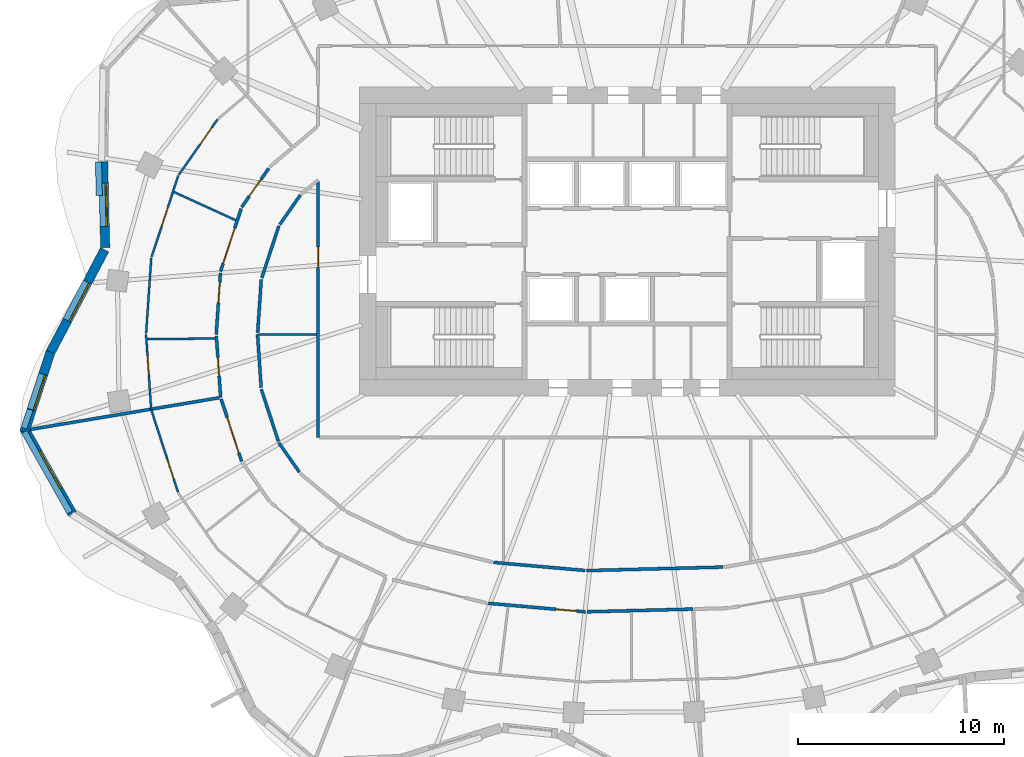
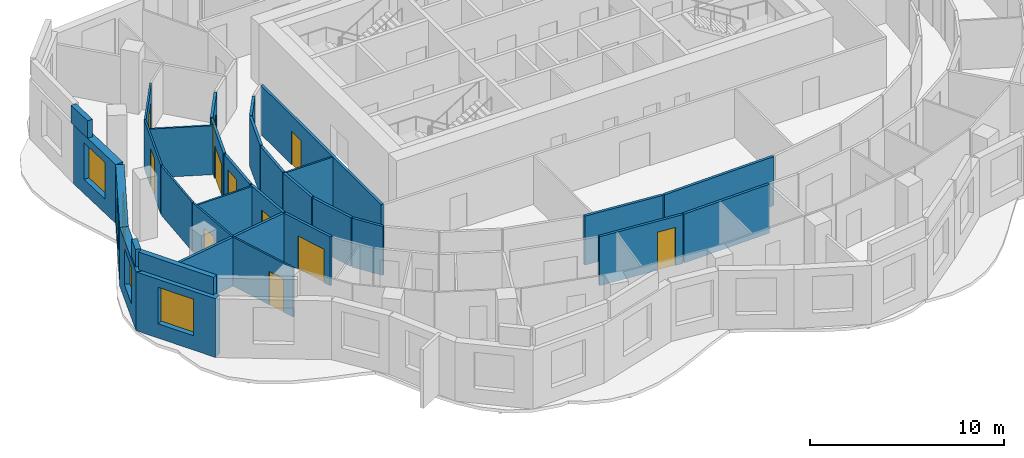
# One storey, part 4 of 12: 32 walls, 11 doors, 4 windows, 15 openings.
"""IFC4 building model written with IfcOpenShell, lengths in metres."""

from ifc_helpers import new_model, si_unit, direction, frame, frame_2d, origin, place, context, subcontext, project, spatial, rectangle, extrude, material, layer, layer_set, type_object, element, fill, save


model = new_model("IFC4")

# Units and contexts
model_context = context("Model", 3, precision=1e-05, world=origin(), true_north=direction((0.0, 1.0)))
body_context = subcontext(model_context, "Body", "Model", "MODEL_VIEW")
ifc_project = project(units=[si_unit("LENGTHUNIT", "METRE"), si_unit("AREAUNIT", "SQUARE_METRE"), si_unit("VOLUMEUNIT", "CUBIC_METRE"), si_unit("PLANEANGLEUNIT", "RADIAN"), si_unit("MASSUNIT", "GRAM", prefix="KILO")], contexts=[model_context])

# Site, building, storey
site_placement = place(None, origin())
site = spatial("IfcSite", under=ifc_project, at=site_placement, CompositionType="ELEMENT")
building_placement = place(site_placement, origin())
building = spatial("IfcBuilding", under=site, at=building_placement, Name="Rubra Terraces Tower", CompositionType="ELEMENT")
storey_placement = place(building_placement, frame((0.0, 0.0, 201.300048828125)))
storey = spatial("IfcBuildingStorey", under=building, at=storey_placement, Name="L49", CompositionType="ELEMENT", Elevation=201.300048828125)

# Wall, opening, window
ifc_material_1 = material(Name="Brick masonry red-brown", Category="masonry")
ifc_layer_1 = layer(ifc_material_1, 0.449951171875)
ifc_layer_set_1 = layer_set([ifc_layer_1], Name="Brick masonry red-brown")
wall_type_1 = type_object("IfcWallType", Name="Brick facade wall 450", PredefinedType="SOLIDWALL", material=ifc_layer_set_1)
wall_1_placement = place(storey_placement, frame((-25.44091796875, 8.375, 0.0), z_axis=(0.0, 0.0, 1.0), x_axis=(0.024385850259, -0.999702620936, 0.0)))
wall_1 = element("IfcWall", 1, at=wall_1_placement, inside=storey, type_object=wall_type_1, Name="Facade wall L49 bay 19", PredefinedType="SOLIDWALL", context=body_context, shape_type="SweptSolid", body=[
    extrude(rectangle(XDim=4.164794921875, YDim=0.449951171875, at=frame_2d((2.08251953125, 0.0))), origin(), (0.0, 0.0, 1.0), 3.699951171875),
])
opening_1_placement = place(wall_1_placement, frame((1.032470703125, 0.0, 0.89990234375)))
opening_1 = element("IfcOpeningElement", 2, at=opening_1_placement, cuts=wall_1, Name="Opening W1B", PredefinedType="OPENING", context=body_context, shape_type="SweptSolid", body=[
    extrude(rectangle(XDim=2.10009765625, YDim=2.300048828125, at=frame_2d((1.050048828125, 1.14990234375))), frame((0.0, 0.23486328125, 0.0), z_axis=(0.0, -1.0, 0.0), x_axis=(1.0, 0.0, 0.0)), (0.0, 0.0, 1.0), 0.469970703125),
])
ifc_material_2 = material(Name="Clear glass in aluminium frame", Category="aluminium")
window_type_1 = type_object("IfcWindowType", Name="Fixed deep-set window tall storey 2100 x 2300", PartitioningType="SINGLE_PANEL", PredefinedType="WINDOW", material=ifc_material_2)
window_1_placement = place(opening_1_placement, origin())
window_1 = element("IfcWindow", 3, at=window_1_placement, inside=storey, type_object=window_type_1, Name="Window L49 bay 19", OverallHeight=2.300048828125, OverallWidth=2.10009765625, PartitioningType="SINGLE_PANEL", PredefinedType="WINDOW", context=body_context, shape_type="SweptSolid", body=[
    extrude(rectangle(XDim=2.10009765625, YDim=2.300048828125, at=frame_2d((1.050048828125, 1.14990234375))), frame((0.0, 0.135009765625, 0.0), z_axis=(0.0, -1.0, 0.0), x_axis=(1.0, 0.0, 0.0)), (0.0, 0.0, 1.0), 0.06005859375),
])
fill(opening_1, window_1)

wall_2_placement = place(storey_placement, frame((-25.365478515625, 4.10693359375, 0.0), z_axis=(0.0, 0.0, 1.0), x_axis=(-0.467239399168, -0.884130840919, 0.0)))
wall_2 = element("IfcWall", 4, at=wall_2_placement, inside=storey, type_object=wall_type_1, Name="Facade wall L49 bay 20", PredefinedType="SOLIDWALL", context=body_context, shape_type="SweptSolid", body=[
    extrude(rectangle(XDim=5.658935546875, YDim=0.449951171875, at=frame_2d((2.82958984375, 0.0))), origin(), (0.0, 0.0, 1.0), 3.699951171875),
])
opening_2_placement = place(wall_2_placement, frame((1.779296875, 0.0, 0.89990234375)))
opening_2 = element("IfcOpeningElement", 5, at=opening_2_placement, cuts=wall_2, Name="Opening W1B", PredefinedType="OPENING", context=body_context, shape_type="SweptSolid", body=[
    extrude(rectangle(XDim=2.10009765625, YDim=2.300048828125, at=frame_2d((1.050048828125, 1.14990234375))), frame((0.0, 0.23486328125, 0.0), z_axis=(0.0, -1.0, 0.0), x_axis=(1.0, 0.0, 0.0)), (0.0, 0.0, 1.0), 0.469970703125),
])
window_2_placement = place(opening_2_placement, origin())
window_2 = element("IfcWindow", 6, at=window_2_placement, inside=storey, type_object=window_type_1, Name="Window L49 bay 20", OverallHeight=2.300048828125, OverallWidth=2.10009765625, PartitioningType="SINGLE_PANEL", PredefinedType="WINDOW", context=body_context, shape_type="SweptSolid", body=[
    extrude(rectangle(XDim=2.10009765625, YDim=2.300048828125, at=frame_2d((1.050048828125, 1.14990234375))), frame((0.0, 0.135009765625, 0.0), z_axis=(0.0, -1.0, 0.0), x_axis=(1.0, 0.0, 0.0)), (0.0, 0.0, 1.0), 0.06005859375),
])
fill(opening_2, window_2)

wall_3_placement = place(storey_placement, frame((-27.99462890625, -0.861083984375, 0.0), z_axis=(0.0, 0.0, 1.0), x_axis=(-0.310693110673, -0.950510279261, 0.0)))
wall_3 = element("IfcWall", 7, at=wall_3_placement, inside=storey, type_object=wall_type_1, Name="Facade wall L49 bay 21", PredefinedType="SOLIDWALL", context=body_context, shape_type="SweptSolid", body=[
    extrude(rectangle(XDim=4.079833984375, YDim=0.449951171875, at=frame_2d((2.0400390625, 0.0))), origin(), (0.0, 0.0, 1.0), 3.699951171875),
])
opening_3_placement = place(wall_3_placement, frame((1.139892578125, 0.0, 0.89990234375)))
opening_3 = element("IfcOpeningElement", 8, at=opening_3_placement, cuts=wall_3, Name="Opening W6B", PredefinedType="OPENING", context=body_context, shape_type="SweptSolid", body=[
    extrude(rectangle(XDim=1.800048828125, YDim=2.300048828125, at=frame_2d((0.89990234375, 1.14990234375))), frame((0.0, 0.23486328125, 0.0), z_axis=(0.0, -1.0, 0.0), x_axis=(1.0, 0.0, 0.0)), (0.0, 0.0, 1.0), 0.469970703125),
])
window_type_2 = type_object("IfcWindowType", Name="Fixed deep-set window at wind fin tall storey 1800 x 2300", PartitioningType="SINGLE_PANEL", PredefinedType="WINDOW", material=ifc_material_2)
window_3_placement = place(opening_3_placement, origin())
window_3 = element("IfcWindow", 9, at=window_3_placement, inside=storey, type_object=window_type_2, Name="Window L49 bay 21", OverallHeight=2.300048828125, OverallWidth=1.800048828125, PartitioningType="SINGLE_PANEL", PredefinedType="WINDOW", context=body_context, shape_type="SweptSolid", body=[
    extrude(rectangle(XDim=1.800048828125, YDim=2.300048828125, at=frame_2d((0.89990234375, 1.14990234375))), frame((0.0, 0.135009765625, 0.0), z_axis=(0.0, -1.0, 0.0), x_axis=(1.0, 0.0, 0.0)), (0.0, 0.0, 1.0), 0.06005859375),
])
fill(opening_3, window_3)

wall_4_placement = place(storey_placement, frame((-29.280029296875, -4.558349609375, 0.0), z_axis=(0.0, 0.0, 1.0), x_axis=(0.491511608999, -0.870871022723, 0.0)))
wall_4 = element("IfcWall", 10, at=wall_4_placement, inside=storey, type_object=wall_type_1, Name="Facade wall L49 bay 22", PredefinedType="SOLIDWALL", context=body_context, shape_type="SweptSolid", body=[
    extrude(rectangle(XDim=4.762939453125, YDim=0.449951171875, at=frame_2d((2.38134765625, 0.0))), origin(), (0.0, 0.0, 1.0), 3.699951171875),
])
opening_4_placement = place(wall_4_placement, frame((1.33154296875, 0.0, 0.89990234375)))
opening_4 = element("IfcOpeningElement", 11, at=opening_4_placement, cuts=wall_4, Name="Opening W1B", PredefinedType="OPENING", context=body_context, shape_type="SweptSolid", body=[
    extrude(rectangle(XDim=2.10009765625, YDim=2.300048828125, at=frame_2d((1.050048828125, 1.14990234375))), frame((0.0, 0.23486328125, 0.0), z_axis=(0.0, -1.0, 0.0), x_axis=(1.0, 0.0, 0.0)), (0.0, 0.0, 1.0), 0.469970703125),
])
window_4_placement = place(opening_4_placement, origin())
window_4 = element("IfcWindow", 12, at=window_4_placement, inside=storey, type_object=window_type_1, Name="Window L49 bay 22", OverallHeight=2.300048828125, OverallWidth=2.10009765625, PartitioningType="SINGLE_PANEL", PredefinedType="WINDOW", context=body_context, shape_type="SweptSolid", body=[
    extrude(rectangle(XDim=2.10009765625, YDim=2.300048828125, at=frame_2d((1.050048828125, 1.14990234375))), frame((0.0, 0.135009765625, 0.0), z_axis=(0.0, -1.0, 0.0), x_axis=(1.0, 0.0, 0.0)), (0.0, 0.0, 1.0), 0.06005859375),
])
fill(opening_4, window_4)

# Walls
ifc_layer_2 = layer(ifc_material_1, 0.300048828125)
ifc_layer_set_2 = layer_set([ifc_layer_2], Name="Brick masonry red-brown")
wall_type_2 = type_object("IfcWallType", Name="Brick parapet 300", PredefinedType="PARAPET", material=ifc_layer_set_2)
wall_5_placement = place(storey_placement, frame((-25.665771484375, 8.375732421875, 3.89990234375), z_axis=(0.0, 0.0, 1.0), x_axis=(0.024357650064, -0.999703308429, 0.0)))
element("IfcWall", 13, at=wall_5_placement, inside=storey, type_object=wall_type_2, Name="Parapet L49 bay 19", PredefinedType="PARAPET", context=body_context, shape_type="SweptSolid", body=[
    extrude(rectangle(XDim=1.643798828125, YDim=0.300048828125, at=frame_2d((0.82177734375, 0.0))), origin(), (0.0, 0.0, 1.0), 1.10009765625),
])
wall_6_placement = place(storey_placement, frame((-28.987548828125, -3.657470703125, 3.89990234375), z_axis=(0.0, 0.0, 1.0), x_axis=(-0.310832502734, -0.950464704891, 0.0)))
element("IfcWall", 14, at=wall_6_placement, inside=storey, type_object=wall_type_2, Name="Parapet L49 bay 21", PredefinedType="PARAPET", context=body_context, shape_type="SweptSolid", body=[
    extrude(rectangle(XDim=0.951171875, YDim=0.300048828125, at=frame_2d((0.4755859375, 0.0))), origin(), (0.0, 0.0, 1.0), 1.10009765625),
])
wall_7_placement = place(storey_placement, frame((-29.265625, -4.736572265625, 3.89990234375), z_axis=(0.0, 0.0, 1.0), x_axis=(0.491480740547, -0.870888443873, 0.0)))
element("IfcWall", 15, at=wall_7_placement, inside=storey, type_object=wall_type_2, Name="Parapet L49 bay 22", PredefinedType="PARAPET", context=body_context, shape_type="SweptSolid", body=[
    extrude(rectangle(XDim=4.494140625, YDim=0.300048828125, at=frame_2d((2.2470703125, 0.0))), origin(), (0.0, 0.0, 1.0), 1.10009765625),
])

# Wall, opening, door
ifc_material_3 = material(Name="Plasterboard on steel stud, mineral wool infill", Category="steel")
ifc_layer_3 = layer(ifc_material_3, 0.14990234375)
ifc_layer_set_3 = layer_set([ifc_layer_3], Name="Plasterboard on steel stud, mineral wool infill")
wall_type_3 = type_object("IfcWallType", Name="CORRIDOR PARTITION 150", PredefinedType="PARTITIONING", material=ifc_layer_set_3)
wall_8_placement = place(storey_placement, frame((-17.3974609375, 8.0615234375, 0.0), z_axis=(0.0, 0.0, 1.0), x_axis=(-0.572118665737, -0.820170855563, 0.0)))
wall_8 = element("IfcWall", 16, at=wall_8_placement, inside=storey, type_object=wall_type_3, Name="PARTITION", PredefinedType="PARTITIONING", context=body_context, shape_type="SweptSolid", body=[
    extrude(rectangle(XDim=2.30615234375, YDim=0.14990234375, at=frame_2d((1.153076171875, 0.0))), origin(), (0.0, 0.0, 1.0), 3.083984375),
])
opening_5_placement = place(wall_8_placement, frame((0.64990234375, 0.0, 0.0)))
opening_5 = element("IfcOpeningElement", 17, at=opening_5_placement, cuts=wall_8, Name="Opening 49-143", PredefinedType="OPENING", context=body_context, shape_type="SweptSolid", body=[
    extrude(rectangle(XDim=1.0, YDim=2.10009765625, at=frame_2d((0.5, 1.050048828125))), frame((0.0, 0.0849609375, 0.0), z_axis=(0.0, -1.0, 0.0), x_axis=(1.0, 0.0, 0.0)), (0.0, 0.0, 1.0), 0.169921875),
])
ifc_material_4 = material(Name="Painted timber door leaf", Category="wood")
door_type_1 = type_object("IfcDoorType", Name="ROOM DOOR 1000 X 2100", OperationType="SINGLE_SWING_LEFT", PredefinedType="DOOR", material=ifc_material_4)
door_1_placement = place(opening_5_placement, origin())
door_1 = element("IfcDoor", 18, at=door_1_placement, inside=storey, type_object=door_type_1, Name="DOOR 49-143", OperationType="SINGLE_SWING_RIGHT", OverallHeight=2.10009765625, OverallWidth=1.0, PredefinedType="DOOR", context=body_context, shape_type="SweptSolid", body=[
    extrude(rectangle(XDim=1.0, YDim=2.10009765625, at=frame_2d((0.5, 1.050048828125))), frame((0.0, 0.02490234375, 0.0), z_axis=(0.0, -1.0, 0.0), x_axis=(1.0, 0.0, 0.0)), (0.0, 0.0, 1.0), 0.050048828125),
])
fill(opening_5, door_1)

wall_9_placement = place(storey_placement, frame((-18.740234375, 6.098876953125, 0.0), z_axis=(0.0, 0.0, 1.0), x_axis=(-0.31188427026, -0.950120098706, 0.0)))
wall_9 = element("IfcWall", 19, at=wall_9_placement, inside=storey, type_object=wall_type_3, Name="PARTITION", PredefinedType="PARTITIONING", context=body_context, shape_type="SweptSolid", body=[
    extrude(rectangle(XDim=3.206298828125, YDim=0.14990234375, at=frame_2d((1.60302734375, 0.0))), origin(), (0.0, 0.0, 1.0), 3.083984375),
])
opening_6_placement = place(wall_9_placement, frame((1.0, 0.0, 0.0)))
opening_6 = element("IfcOpeningElement", 20, at=opening_6_placement, cuts=wall_9, Name="Opening 49-112", PredefinedType="OPENING", context=body_context, shape_type="SweptSolid", body=[
    extrude(rectangle(XDim=1.800048828125, YDim=2.10009765625, at=frame_2d((0.89990234375, 1.050048828125))), frame((0.0, 0.0849609375, 0.0), z_axis=(0.0, -1.0, 0.0), x_axis=(1.0, 0.0, 0.0)), (0.0, 0.0, 1.0), 0.169921875),
])
ifc_material_5 = material(Name="Painted timber door leaf, double", Category="wood")
door_type_2 = type_object("IfcDoorType", Name="ROOM DOUBLE DOOR 1800 X 2100", OperationType="DOUBLE_DOOR_SINGLE_SWING", PredefinedType="DOOR", material=ifc_material_5)
door_2_placement = place(opening_6_placement, origin())
door_2 = element("IfcDoor", 21, at=door_2_placement, inside=storey, type_object=door_type_2, Name="DOOR 49-112", OperationType="DOUBLE_DOOR_SINGLE_SWING", OverallHeight=2.10009765625, OverallWidth=1.800048828125, PredefinedType="DOOR", context=body_context, shape_type="SweptSolid", body=[
    extrude(rectangle(XDim=1.800048828125, YDim=2.10009765625, at=frame_2d((0.89990234375, 1.050048828125))), frame((0.0, 0.02490234375, 0.0), z_axis=(0.0, -1.0, 0.0), x_axis=(1.0, 0.0, 0.0)), (0.0, 0.0, 1.0), 0.050048828125),
])
fill(opening_6, door_2)

wall_10_placement = place(storey_placement, frame((-19.745361328125, 2.9775390625, 0.0), z_axis=(0.0, 0.0, 1.0), x_axis=(-0.068142324, -0.997675610447, 0.0)))
wall_10 = element("IfcWall", 22, at=wall_10_placement, inside=storey, type_object=wall_type_3, Name="PARTITION", PredefinedType="PARTITIONING", context=body_context, shape_type="SweptSolid", body=[
    extrude(rectangle(XDim=2.984375, YDim=0.14990234375, at=frame_2d((1.4921875, 0.0))), origin(), (0.0, 0.0, 1.0), 3.083984375),
])
opening_7_placement = place(wall_10_placement, frame((0.449951171875, 0.0, 0.0)))
opening_7 = element("IfcOpeningElement", 23, at=opening_7_placement, cuts=wall_10, Name="Opening 49-114", PredefinedType="OPENING", context=body_context, shape_type="SweptSolid", body=[
    extrude(rectangle(XDim=1.0, YDim=2.39990234375, at=frame_2d((0.5, 1.199951171875))), frame((0.0, 0.0849609375, 0.0), z_axis=(0.0, -1.0, 0.0), x_axis=(1.0, 0.0, 0.0)), (0.0, 0.0, 1.0), 0.169921875),
])
ifc_material_6 = material(Name="Glazed aluminium meeting door leaf", Category="aluminium")
door_type_3 = type_object("IfcDoorType", Name="MEETING ROOM GLAZED DOOR 1000 X 2400", OperationType="SINGLE_SWING_LEFT", PredefinedType="DOOR", material=ifc_material_6)
door_3_placement = place(opening_7_placement, origin())
door_3 = element("IfcDoor", 24, at=door_3_placement, inside=storey, type_object=door_type_3, Name="DOOR 49-114", OperationType="SINGLE_SWING_RIGHT", OverallHeight=2.39990234375, OverallWidth=1.0, PredefinedType="DOOR", context=body_context, shape_type="SweptSolid", body=[
    extrude(rectangle(XDim=1.0, YDim=2.39990234375, at=frame_2d((0.5, 1.199951171875))), frame((0.0, 0.02490234375, 0.0), z_axis=(0.0, -1.0, 0.0), x_axis=(1.0, 0.0, 0.0)), (0.0, 0.0, 1.0), 0.050048828125),
])
fill(opening_7, door_3)

wall_11_placement = place(storey_placement, frame((-19.943603515625, -0.07470703125, 0.0), z_axis=(0.0, 0.0, 1.0), x_axis=(0.069483400546, -0.99758310784, 0.0)))
wall_11 = element("IfcWall", 25, at=wall_11_placement, inside=storey, type_object=wall_type_3, Name="PARTITION", PredefinedType="PARTITIONING", context=body_context, shape_type="SweptSolid", body=[
    extrude(rectangle(XDim=3.000732421875, YDim=0.14990234375, at=frame_2d((1.50048828125, 0.0))), origin(), (0.0, 0.0, 1.0), 3.083984375),
])
opening_8_placement = place(wall_11_placement, frame((1.050048828125, 0.0, 0.0)))
opening_8 = element("IfcOpeningElement", 26, at=opening_8_placement, cuts=wall_11, Name="Opening 49-144", PredefinedType="OPENING", context=body_context, shape_type="SweptSolid", body=[
    extrude(rectangle(XDim=0.89990234375, YDim=2.10009765625, at=frame_2d((0.449951171875, 1.050048828125))), frame((0.0, 0.0849609375, 0.0), z_axis=(0.0, -1.0, 0.0), x_axis=(1.0, 0.0, 0.0)), (0.0, 0.0, 1.0), 0.169921875),
])
door_type_4 = type_object("IfcDoorType", Name="BATHROOM DOOR 900 X 2100", OperationType="SINGLE_SWING_LEFT", PredefinedType="DOOR", material=ifc_material_4)
door_4_placement = place(opening_8_placement, origin())
door_4 = element("IfcDoor", 27, at=door_4_placement, inside=storey, type_object=door_type_4, Name="DOOR 49-144", OperationType="SINGLE_SWING_RIGHT", OverallHeight=2.10009765625, OverallWidth=0.89990234375, PredefinedType="DOOR", context=body_context, shape_type="SweptSolid", body=[
    extrude(rectangle(XDim=0.89990234375, YDim=2.10009765625, at=frame_2d((0.449951171875, 1.050048828125))), frame((0.0, 0.02490234375, 0.0), z_axis=(0.0, -1.0, 0.0), x_axis=(1.0, 0.0, 0.0)), (0.0, 0.0, 1.0), 0.050048828125),
])
fill(opening_8, door_4)

wall_12_placement = place(storey_placement, frame((-19.7119140625, -3.139404296875, 0.0), z_axis=(0.0, 0.0, 1.0), x_axis=(0.311953946036, -0.950097224263, 0.0)))
wall_12 = element("IfcWall", 28, at=wall_12_placement, inside=storey, type_object=wall_type_3, Name="PARTITION", PredefinedType="PARTITIONING", context=body_context, shape_type="SweptSolid", body=[
    extrude(rectangle(XDim=3.18994140625, YDim=0.14990234375, at=frame_2d((1.594970703125, 0.0))), origin(), (0.0, 0.0, 1.0), 3.083984375),
])
opening_9_placement = place(wall_12_placement, frame((0.949951171875, 0.0, 0.0)))
opening_9 = element("IfcOpeningElement", 29, at=opening_9_placement, cuts=wall_12, Name="Opening 49-116", PredefinedType="OPENING", context=body_context, shape_type="SweptSolid", body=[
    extrude(rectangle(XDim=1.800048828125, YDim=2.10009765625, at=frame_2d((0.89990234375, 1.050048828125))), frame((0.0, 0.0849609375, 0.0), z_axis=(0.0, -1.0, 0.0), x_axis=(1.0, 0.0, 0.0)), (0.0, 0.0, 1.0), 0.169921875),
])
door_5_placement = place(opening_9_placement, origin())
door_5 = element("IfcDoor", 30, at=door_5_placement, inside=storey, type_object=door_type_2, Name="DOOR 49-116", OperationType="DOUBLE_DOOR_SINGLE_SWING", OverallHeight=2.10009765625, OverallWidth=1.800048828125, PredefinedType="DOOR", context=body_context, shape_type="SweptSolid", body=[
    extrude(rectangle(XDim=1.800048828125, YDim=2.10009765625, at=frame_2d((0.89990234375, 1.050048828125))), frame((0.0, 0.02490234375, 0.0), z_axis=(0.0, -1.0, 0.0), x_axis=(1.0, 0.0, 0.0)), (0.0, 0.0, 1.0), 0.050048828125),
])
fill(opening_9, door_5)

wall_13_placement = place(storey_placement, frame((-6.73828125, -13.05908203125, 0.0), z_axis=(0.0, 0.0, 1.0), x_axis=(0.996143527037, -0.087738666181, 0.0)))
wall_13 = element("IfcWall", 31, at=wall_13_placement, inside=storey, type_object=wall_type_3, Name="PARTITION", PredefinedType="PARTITIONING", context=body_context, shape_type="SweptSolid", body=[
    extrude(rectangle(XDim=4.73046875, YDim=0.14990234375, at=frame_2d((2.365234375, 0.0))), origin(), (0.0, 0.0, 1.0), 3.083984375),
])
opening_10_placement = place(wall_13_placement, frame((3.300048828125, 0.0, 0.0)))
opening_10 = element("IfcOpeningElement", 32, at=opening_10_placement, cuts=wall_13, Name="Opening 49-122", PredefinedType="OPENING", context=body_context, shape_type="SweptSolid", body=[
    extrude(rectangle(XDim=1.0, YDim=2.39990234375, at=frame_2d((0.5, 1.199951171875))), frame((0.0, 0.0849609375, 0.0), z_axis=(0.0, -1.0, 0.0), x_axis=(1.0, 0.0, 0.0)), (0.0, 0.0, 1.0), 0.169921875),
])
door_6_placement = place(opening_10_placement, origin())
door_6 = element("IfcDoor", 33, at=door_6_placement, inside=storey, type_object=door_type_3, Name="DOOR 49-122", OperationType="SINGLE_SWING_RIGHT", OverallHeight=2.39990234375, OverallWidth=1.0, PredefinedType="DOOR", context=body_context, shape_type="SweptSolid", body=[
    extrude(rectangle(XDim=1.0, YDim=2.39990234375, at=frame_2d((0.5, 1.199951171875))), frame((0.0, 0.02490234375, 0.0), z_axis=(0.0, -1.0, 0.0), x_axis=(1.0, 0.0, 0.0)), (0.0, 0.0, 1.0), 0.050048828125),
])
fill(opening_10, door_6)

# Walls
wall_14_placement = place(storey_placement, frame((-1.951171875, -13.472412109375, 0.0), z_axis=(0.0, 0.0, 1.0), x_axis=(0.999664233407, 0.025911782006, 0.0)))
element("IfcWall", 34, at=wall_14_placement, inside=storey, type_object=wall_type_3, Name="PARTITION", PredefinedType="PARTITIONING", context=body_context, shape_type="SweptSolid", body=[
    extrude(rectangle(XDim=5.15380859375, YDim=0.14990234375, at=frame_2d((2.576904296875, 0.0))), origin(), (0.0, 0.0, 1.0), 3.083984375),
])
wall_15_placement = place(storey_placement, frame((4.64453125, -11.30078125, 0.0), z_axis=(0.0, 0.0, 1.0), x_axis=(-0.9996648469, -0.02588810291, 0.0)))
element("IfcWall", 35, at=wall_15_placement, inside=storey, type_object=wall_type_3, Name="PARTITION", PredefinedType="PARTITIONING", context=body_context, shape_type="SweptSolid", body=[
    extrude(rectangle(XDim=6.61083984375, YDim=0.14990234375, at=frame_2d((3.305419921875, 0.0))), origin(), (0.0, 0.0, 1.0), 3.083984375),
])
wall_16_placement = place(storey_placement, frame((-2.038818359375, -11.46533203125, 0.0), z_axis=(0.0, 0.0, 1.0), x_axis=(-0.996139855484, 0.087780341286, 0.0)))
element("IfcWall", 36, at=wall_16_placement, inside=storey, type_object=wall_type_3, Name="PARTITION", PredefinedType="PARTITIONING", context=body_context, shape_type="SweptSolid", body=[
    extrude(rectangle(XDim=4.458251953125, YDim=0.14990234375, at=frame_2d((2.22900390625, 0.0))), origin(), (0.0, 0.0, 1.0), 3.083984375),
])
wall_17_placement = place(storey_placement, frame((-15.911865234375, -6.695556640625, 0.0), z_axis=(0.0, 0.0, 1.0), x_axis=(-0.572078533763, 0.820198848578, 0.0)))
element("IfcWall", 37, at=wall_17_placement, inside=storey, type_object=wall_type_3, Name="PARTITION", PredefinedType="PARTITIONING", context=body_context, shape_type="SweptSolid", body=[
    extrude(rectangle(XDim=1.74169921875, YDim=0.14990234375, at=frame_2d((0.870849609375, 0.0))), origin(), (0.0, 0.0, 1.0), 3.083984375),
])
wall_18_placement = place(storey_placement, frame((-16.931640625, -5.19580078125, 0.0), z_axis=(0.0, 0.0, 1.0), x_axis=(-0.311904957484, 0.950113307715, 0.0)))
element("IfcWall", 38, at=wall_18_placement, inside=storey, type_object=wall_type_3, Name="PARTITION", PredefinedType="PARTITIONING", context=body_context, shape_type="SweptSolid", body=[
    extrude(rectangle(XDim=2.662109375, YDim=0.14990234375, at=frame_2d((1.3310546875, 0.0))), origin(), (0.0, 0.0, 1.0), 3.083984375),
])
wall_19_placement = place(storey_placement, frame((-17.76708984375, -2.591552734375, 0.0), z_axis=(0.0, 0.0, 1.0), x_axis=(-0.068140828228, 0.997675712608, 0.0)))
element("IfcWall", 39, at=wall_19_placement, inside=storey, type_object=wall_type_3, Name="PARTITION", PredefinedType="PARTITIONING", context=body_context, shape_type="SweptSolid", body=[
    extrude(rectangle(XDim=2.59765625, YDim=0.14990234375, at=frame_2d((1.298828125, 0.0))), origin(), (0.0, 0.0, 1.0), 3.083984375),
])
wall_20_placement = place(storey_placement, frame((-17.939208984375, 0.07470703125, 0.0), z_axis=(0.0, 0.0, 1.0), x_axis=(0.068227980697, 0.997669756307, 0.0)))
element("IfcWall", 40, at=wall_20_placement, inside=storey, type_object=wall_type_3, Name="PARTITION", PredefinedType="PARTITIONING", context=body_context, shape_type="SweptSolid", body=[
    extrude(rectangle(XDim=2.597900390625, YDim=0.14990234375, at=frame_2d((1.298828125, 0.0))), origin(), (0.0, 0.0, 1.0), 3.083984375),
])
wall_21_placement = place(storey_placement, frame((-17.738525390625, 2.73779296875, 0.0), z_axis=(0.0, 0.0, 1.0), x_axis=(0.311904957484, 0.950113307715, 0.0)))
element("IfcWall", 41, at=wall_21_placement, inside=storey, type_object=wall_type_3, Name="PARTITION", PredefinedType="PARTITIONING", context=body_context, shape_type="SweptSolid", body=[
    extrude(rectangle(XDim=2.662109375, YDim=0.14990234375, at=frame_2d((1.3310546875, 0.0))), origin(), (0.0, 0.0, 1.0), 3.083984375),
])
wall_22_placement = place(storey_placement, frame((-16.865478515625, 5.32861328125, 0.0), z_axis=(0.0, 0.0, 1.0), x_axis=(0.572096615639, 0.820186236397, 0.0)))
element("IfcWall", 42, at=wall_22_placement, inside=storey, type_object=wall_type_3, Name="PARTITION", PredefinedType="PARTITIONING", context=body_context, shape_type="SweptSolid", body=[
    extrude(rectangle(XDim=1.752685546875, YDim=0.14990234375, at=frame_2d((0.87646484375, 0.0))), origin(), (0.0, 0.0, 1.0), 3.083984375),
])

# Wall, opening, door
wall_23_placement = place(storey_placement, frame((-15.0, 7.423095703125, 0.0), z_axis=(0.0, 0.0, 1.0), x_axis=(0.0, -1.0, 0.0)))
wall_23 = element("IfcWall", 43, at=wall_23_placement, inside=storey, type_object=wall_type_3, Name="PARTITION", PredefinedType="PARTITIONING", context=body_context, shape_type="SweptSolid", body=[
    extrude(rectangle(XDim=12.423095703125, YDim=0.14990234375, at=frame_2d((6.21142578125, 0.0))), origin(), (0.0, 0.0, 1.0), 3.083984375),
])
opening_11_placement = place(wall_23_placement, frame((3.174072265625, 0.0, 0.0)))
opening_11 = element("IfcOpeningElement", 44, at=opening_11_placement, cuts=wall_23, Name="Opening 49-132", PredefinedType="OPENING", context=body_context, shape_type="SweptSolid", body=[
    extrude(rectangle(XDim=1.0, YDim=2.10009765625, at=frame_2d((0.5, 1.050048828125))), frame((0.0, 0.0849609375, 0.0), z_axis=(0.0, -1.0, 0.0), x_axis=(1.0, 0.0, 0.0)), (0.0, 0.0, 1.0), 0.169921875),
])
door_7_placement = place(opening_11_placement, origin())
door_7 = element("IfcDoor", 45, at=door_7_placement, inside=storey, type_object=door_type_1, Name="DOOR 49-132", OperationType="SINGLE_SWING_RIGHT", OverallHeight=2.10009765625, OverallWidth=1.0, PredefinedType="DOOR", context=body_context, shape_type="SweptSolid", body=[
    extrude(rectangle(XDim=1.0, YDim=2.10009765625, at=frame_2d((0.5, 1.050048828125))), frame((0.0, 0.02490234375, 0.0), z_axis=(0.0, -1.0, 0.0), x_axis=(1.0, 0.0, 0.0)), (0.0, 0.0, 1.0), 0.050048828125),
])
fill(opening_11, door_7)

ifc_material_7 = material(Name="Plasterboard on steel stud", Category="steel")
ifc_layer_4 = layer(ifc_material_7, 0.10009765625)
ifc_layer_set_4 = layer_set([ifc_layer_4], Name="Plasterboard on steel stud")
wall_type_4 = type_object("IfcWallType", Name="ROOM PARTITION 100", PredefinedType="PARTITIONING", material=ifc_layer_set_4)
wall_24_placement = place(storey_placement, frame((-23.10986328125, -3.614013671875, 0.0), z_axis=(0.0, 0.0, 1.0), x_axis=(-0.068138237138, 0.997675889575, 0.0)))
wall_24 = element("IfcWall", 46, at=wall_24_placement, inside=storey, type_object=wall_type_4, Name="PARTITION", PredefinedType="PARTITIONING", context=body_context, shape_type="SweptSolid", body=[
    extrude(rectangle(XDim=3.622314453125, YDim=0.10009765625, at=frame_2d((1.81103515625, 0.0))), origin(), (0.0, 0.0, 1.0), 3.083984375),
])
opening_12_placement = place(wall_24_placement, frame((1.6669921875, 0.0, 0.0)))
opening_12 = element("IfcOpeningElement", 47, at=opening_12_placement, cuts=wall_24, Name="Opening 49-115", PredefinedType="OPENING", context=body_context, shape_type="SweptSolid", body=[
    extrude(rectangle(XDim=0.89990234375, YDim=2.10009765625, at=frame_2d((0.449951171875, 1.050048828125))), frame((0.0, 0.06005859375, 0.0), z_axis=(0.0, -1.0, 0.0), x_axis=(1.0, 0.0, 0.0)), (0.0, 0.0, 1.0), 0.1201171875),
])
door_type_5 = type_object("IfcDoorType", Name="ROOM DOOR 900 X 2100", OperationType="SINGLE_SWING_LEFT", PredefinedType="DOOR", material=ifc_material_4)
door_8_placement = place(opening_12_placement, origin())
door_8 = element("IfcDoor", 48, at=door_8_placement, inside=storey, type_object=door_type_5, Name="DOOR 49-115", OperationType="SINGLE_SWING_LEFT", OverallHeight=2.10009765625, OverallWidth=0.89990234375, PredefinedType="DOOR", context=body_context, shape_type="SweptSolid", body=[
    extrude(rectangle(XDim=0.89990234375, YDim=2.10009765625, at=frame_2d((0.449951171875, 1.050048828125))), frame((0.0, 0.02490234375, 0.0), z_axis=(0.0, -1.0, 0.0), x_axis=(1.0, 0.0, 0.0)), (0.0, 0.0, 1.0), 0.050048828125),
])
fill(opening_12, door_8)

# Wall
wall_25_placement = place(storey_placement, frame((-23.353515625, 0.0498046875, 0.0), z_axis=(0.0, 0.0, 1.0), x_axis=(0.068171479083, 0.997673618695, 0.0)))
element("IfcWall", 49, at=wall_25_placement, inside=storey, type_object=wall_type_4, Name="PARTITION", PredefinedType="PARTITIONING", context=body_context, shape_type="SweptSolid", body=[
    extrude(rectangle(XDim=3.667236328125, YDim=0.10009765625, at=frame_2d((1.83349609375, 0.0))), origin(), (0.0, 0.0, 1.0), 3.083984375),
])

# Wall, opening, door
wall_26_placement = place(storey_placement, frame((-23.087890625, 3.756103515625, 0.0), z_axis=(0.0, 0.0, 1.0), x_axis=(0.311942747624, 0.950100901065, 0.0)))
wall_26 = element("IfcWall", 50, at=wall_26_placement, inside=storey, type_object=wall_type_4, Name="PARTITION", PredefinedType="PARTITIONING", context=body_context, shape_type="SweptSolid", body=[
    extrude(rectangle(XDim=4.15673828125, YDim=0.10009765625, at=frame_2d((2.078369140625, 0.0))), origin(), (0.0, 0.0, 1.0), 3.083984375),
])
opening_13_placement = place(wall_26_placement, frame((1.550048828125, 0.0, 0.0)))
opening_13 = element("IfcOpeningElement", 51, at=opening_13_placement, cuts=wall_26, Name="Opening 49-142", PredefinedType="OPENING", context=body_context, shape_type="SweptSolid", body=[
    extrude(rectangle(XDim=1.0, YDim=2.39990234375, at=frame_2d((0.5, 1.199951171875))), frame((0.0, 0.06005859375, 0.0), z_axis=(0.0, -1.0, 0.0), x_axis=(1.0, 0.0, 0.0)), (0.0, 0.0, 1.0), 0.1201171875),
])
door_9_placement = place(opening_13_placement, origin())
door_9 = element("IfcDoor", 52, at=door_9_placement, inside=storey, type_object=door_type_3, Name="DOOR 49-142", OperationType="SINGLE_SWING_LEFT", OverallHeight=2.39990234375, OverallWidth=1.0, PredefinedType="DOOR", context=body_context, shape_type="SweptSolid", body=[
    extrude(rectangle(XDim=1.0, YDim=2.39990234375, at=frame_2d((0.5, 1.199951171875))), frame((0.0, 0.02490234375, 0.0), z_axis=(0.0, -1.0, 0.0), x_axis=(1.0, 0.0, 0.0)), (0.0, 0.0, 1.0), 0.050048828125),
])
fill(opening_13, door_9)

wall_27_placement = place(storey_placement, frame((-21.7626953125, 7.746337890625, 0.0), z_axis=(0.0, 0.0, 1.0), x_axis=(0.57207420081, 0.820201870741, 0.0)))
wall_27 = element("IfcWall", 53, at=wall_27_placement, inside=storey, type_object=wall_type_4, Name="PARTITION", PredefinedType="PARTITIONING", context=body_context, shape_type="SweptSolid", body=[
    extrude(rectangle(XDim=3.271484375, YDim=0.10009765625, at=frame_2d((1.6357421875, 0.0))), origin(), (0.0, 0.0, 1.0), 3.083984375),
])
opening_14_placement = place(wall_27_placement, frame((1.799072265625, 0.0, 0.0)))
opening_14 = element("IfcOpeningElement", 54, at=opening_14_placement, cuts=wall_27, Name="Opening 49-113", PredefinedType="OPENING", context=body_context, shape_type="SweptSolid", body=[
    extrude(rectangle(XDim=1.0, YDim=2.10009765625, at=frame_2d((0.5, 1.050048828125))), frame((0.0, 0.06005859375, 0.0), z_axis=(0.0, -1.0, 0.0), x_axis=(1.0, 0.0, 0.0)), (0.0, 0.0, 1.0), 0.1201171875),
])
door_10_placement = place(opening_14_placement, origin())
door_10 = element("IfcDoor", 55, at=door_10_placement, inside=storey, type_object=door_type_1, Name="DOOR 49-113", OperationType="SINGLE_SWING_LEFT", OverallHeight=2.10009765625, OverallWidth=1.0, PredefinedType="DOOR", context=body_context, shape_type="SweptSolid", body=[
    extrude(rectangle(XDim=1.0, YDim=2.10009765625, at=frame_2d((0.5, 1.050048828125))), frame((0.0, 0.02490234375, 0.0), z_axis=(0.0, -1.0, 0.0), x_axis=(1.0, 0.0, 0.0)), (0.0, 0.0, 1.0), 0.050048828125),
])
fill(opening_14, door_10)

# Walls
wall_28_placement = place(storey_placement, frame((-19.002685546875, 5.538330078125, 0.0), z_axis=(0.0, 0.0, 1.0), x_axis=(-0.909578475077, 0.41553218609, 0.0)))
element("IfcWall", 56, at=wall_28_placement, inside=storey, type_object=wall_type_4, Name="PARTITION", PredefinedType="PARTITIONING", context=body_context, shape_type="SweptSolid", body=[
    extrude(rectangle(XDim=3.296142578125, YDim=0.10009765625, at=frame_2d((1.64794921875, 0.0))), origin(), (0.0, 0.0, 1.0), 3.083984375),
])
wall_29_placement = place(storey_placement, frame((-20.010009765625, -0.203857421875, 0.0), z_axis=(0.0, 0.0, 1.0), x_axis=(-0.999952479937, -0.009748736688, 0.0)))
element("IfcWall", 57, at=wall_29_placement, inside=storey, type_object=wall_type_4, Name="PARTITION", PredefinedType="PARTITIONING", context=body_context, shape_type="SweptSolid", body=[
    extrude(rectangle(XDim=3.28076171875, YDim=0.10009765625, at=frame_2d((1.640380859375, 0.0))), origin(), (0.0, 0.0, 1.0), 3.083984375),
])

# Wall, opening, door
wall_30_placement = place(storey_placement, frame((-21.806640625, -7.65771484375, 0.0), z_axis=(0.0, 0.0, 1.0), x_axis=(-0.308962792332, 0.951074125899, 0.0)))
wall_30 = element("IfcWall", 58, at=wall_30_placement, inside=storey, type_object=wall_type_4, Name="PARTITION", PredefinedType="PARTITIONING", context=body_context, shape_type="SweptSolid", body=[
    extrude(rectangle(XDim=4.20947265625, YDim=0.10009765625, at=frame_2d((2.104736328125, 0.0))), origin(), (0.0, 0.0, 1.0), 3.083984375),
])
opening_15_placement = place(wall_30_placement, frame((0.659912109375, 0.0, 0.0)))
opening_15 = element("IfcOpeningElement", 59, at=opening_15_placement, cuts=wall_30, Name="Opening 49-117", PredefinedType="OPENING", context=body_context, shape_type="SweptSolid", body=[
    extrude(rectangle(XDim=1.0, YDim=2.10009765625, at=frame_2d((0.5, 1.050048828125))), frame((0.0, 0.06005859375, 0.0), z_axis=(0.0, -1.0, 0.0), x_axis=(1.0, 0.0, 0.0)), (0.0, 0.0, 1.0), 0.1201171875),
])
door_11_placement = place(opening_15_placement, origin())
door_11 = element("IfcDoor", 60, at=door_11_placement, inside=storey, type_object=door_type_1, Name="DOOR 49-117", OperationType="SINGLE_SWING_RIGHT", OverallHeight=2.10009765625, OverallWidth=1.0, PredefinedType="DOOR", context=body_context, shape_type="SweptSolid", body=[
    extrude(rectangle(XDim=1.0, YDim=2.10009765625, at=frame_2d((0.5, 1.050048828125))), frame((0.0, 0.02490234375, 0.0), z_axis=(0.0, -1.0, 0.0), x_axis=(1.0, 0.0, 0.0)), (0.0, 0.0, 1.0), 0.050048828125),
])
fill(opening_15, door_11)

# Walls
wall_31_placement = place(storey_placement, frame((-17.869140625, 0.0, 0.0), z_axis=(0.0, 0.0, 1.0), x_axis=(1.0, 0.0, 0.0)))
element("IfcWall", 61, at=wall_31_placement, inside=storey, type_object=wall_type_4, Name="PARTITION", PredefinedType="PARTITIONING", context=body_context, shape_type="SweptSolid", body=[
    extrude(rectangle(XDim=2.794189453125, YDim=0.10009765625, at=frame_2d((1.39697265625, 0.0))), origin(), (0.0, 0.0, 1.0), 3.083984375),
])
ifc_layer_5 = layer(ifc_material_7, 0.14990234375)
ifc_layer_set_5 = layer_set([ifc_layer_5], Name="Plasterboard on steel stud")
wall_type_5 = type_object("IfcWallType", Name="ROOM PARTITION 150", PredefinedType="PARTITIONING", material=ifc_layer_set_5)
wall_32_placement = place(storey_placement, frame((-28.982177734375, -4.61962890625, 0.0), z_axis=(0.0, 0.0, 1.0), x_axis=(0.986215284651, 0.16546725453, 0.0)))
element("IfcWall", 62, at=wall_32_placement, inside=storey, type_object=wall_type_5, Name="PARTITION", PredefinedType="PARTITIONING", context=body_context, shape_type="SweptSolid", body=[
    extrude(rectangle(XDim=9.30126953125, YDim=0.14990234375, at=frame_2d((4.650634765625, 0.0))), origin(), (0.0, 0.0, 1.0), 3.083984375),
])

save(model, "model.ifc")
